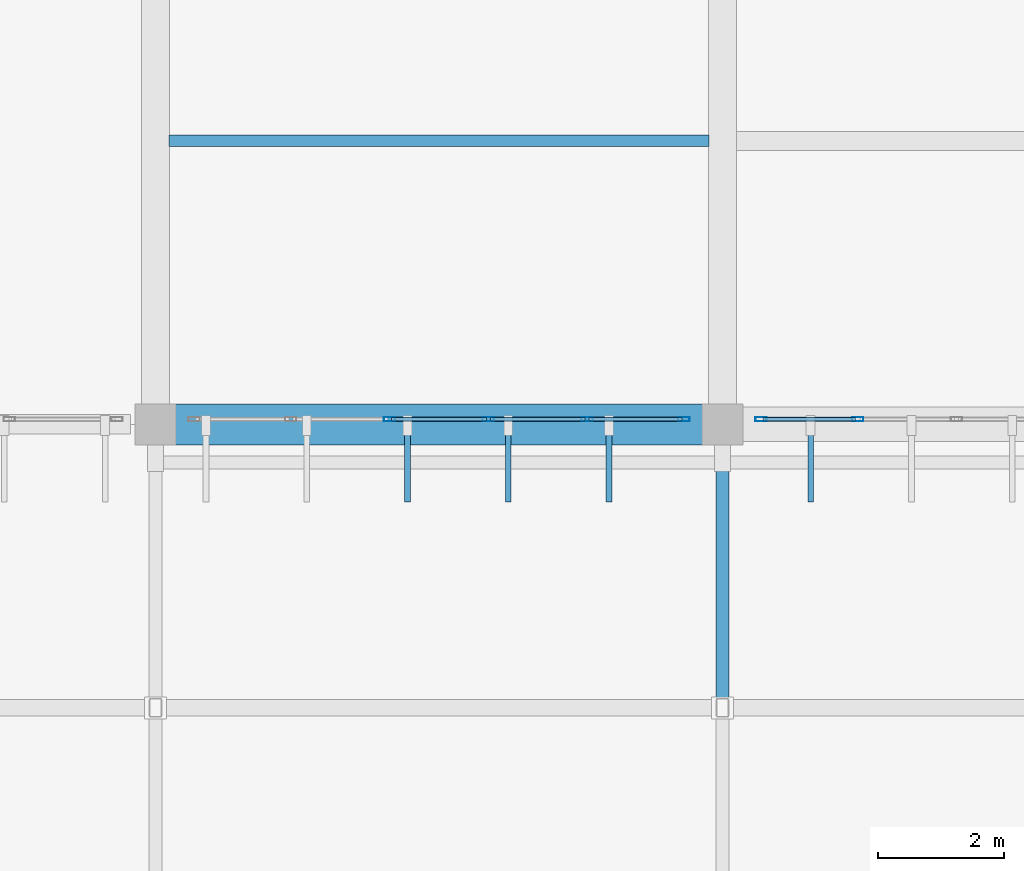
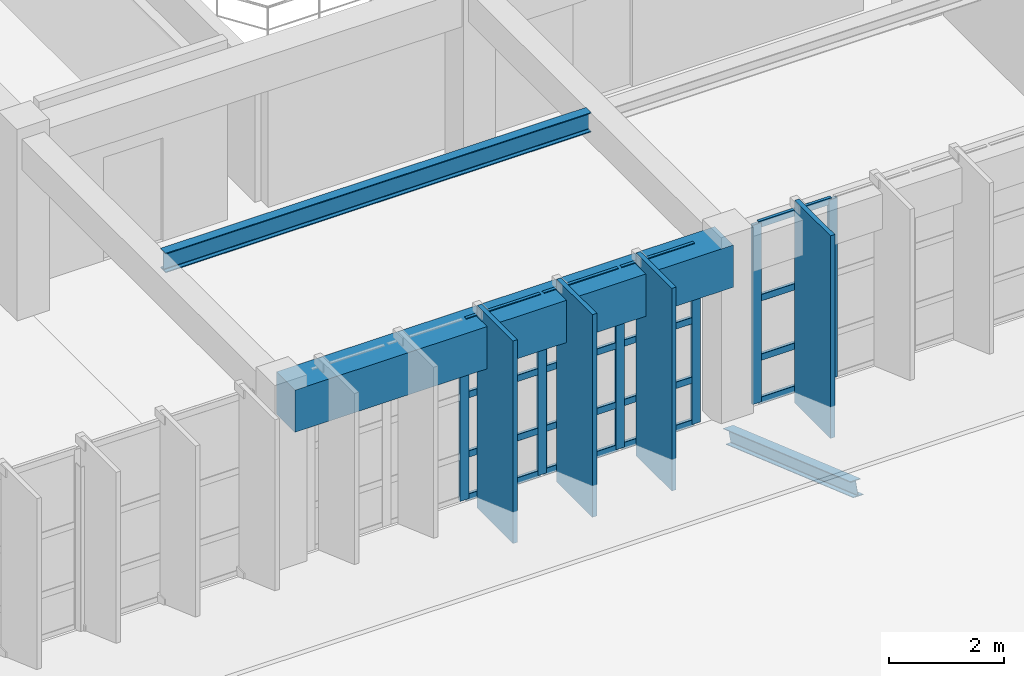
# One storey, part 18 of 80: 27 members, 2 beams, 2 elements without a shape of their own.
"""IFC4 building model written with IfcOpenShell, lengths in metres."""

from ifc_helpers import new_model, si_unit, direction, frame, origin, origin_2d, place, context, subcontext, project, spatial, rectangle, hollow_rectangle, i_section, extrude, material, material_profile, profile_set, type_object, element, aggregate, save


model = new_model("IFC4")

# Units and contexts
model_context = context("Model", 3, precision=1e-05, world=origin(), true_north=direction((0.0, 1.0)))
body_context = subcontext(model_context, "Body", "Model", "MODEL_VIEW")
ifc_project = project(units=[si_unit("LENGTHUNIT", "METRE"), si_unit("AREAUNIT", "SQUARE_METRE"), si_unit("VOLUMEUNIT", "CUBIC_METRE"), si_unit("PLANEANGLEUNIT", "RADIAN"), si_unit("MASSUNIT", "GRAM", prefix="KILO")], contexts=[model_context])

# Site, building, storey
site_placement = place(None, origin())
site = spatial("IfcSite", under=ifc_project, at=site_placement, CompositionType="ELEMENT")
building_placement = place(site_placement, origin())
building = spatial("IfcBuilding", under=site, at=building_placement, Name="Miravela Opera House", CompositionType="ELEMENT")
storey_placement = place(building_placement, frame((0.0, 0.0, 17.679931640625)))
storey = spatial("IfcBuildingStorey", under=building, at=storey_placement, Name="L04", CompositionType="ELEMENT", Elevation=17.679931640625)

# Curtain wall, members
ifc_material_1 = material(Name="Anodised architectural bronze aluminium 6063-T6", Category="aluminium")
curtain_wall_type = type_object("IfcCurtainWallType", Name="ARC-CW-02", PredefinedType="NOTDEFINED", material=ifc_material_1)
curtain_wall_1_placement = place(storey_placement, origin())
curtain_wall_1 = element("IfcCurtainWall", 1, at=curtain_wall_1_placement, inside=storey, type_object=curtain_wall_type, Name="Auditorium South Wrapper Glazing CW-L04-040", PredefinedType="NOTDEFINED")
ifc_material_profile_1 = material_profile(ifc_material_1, hollow_rectangle(XDim=0.06494140625, YDim=0.179931640625, WallThickness=0.00390625, InnerFilletRadius=0.001953125, OuterFilletRadius=0.00390625, at=origin_2d()), Name="CWM-65X180")
ifc_profile_set_1 = profile_set([ifc_material_profile_1])
member_type_1 = type_object("IfcMemberType", Name="ARC-CWM-180", PredefinedType="MULLION", material=ifc_profile_set_1)
member_1_placement = place(storey_placement, frame((30.716064453125, 37.080078125, 0.0), z_axis=(0.0, 0.0, 1.0), x_axis=(0.0, 1.0, 0.0)))
member_1 = element("IfcMember", 2, at=member_1_placement, type_object=member_type_1, Name="CW-02 mullion 3", PredefinedType="MULLION", context=body_context, shape_type="SweptSolid", body=[
    extrude(hollow_rectangle(XDim=0.06494140625, YDim=0.179931640625, WallThickness=0.00390625, InnerFilletRadius=0.001953125, OuterFilletRadius=0.00390625, at=origin_2d()), origin(), (0.0, 0.0, 1.0), 3.820068359375),
])
member_2_placement = place(storey_placement, frame((32.283935546875, 37.080078125, 0.0), z_axis=(0.0, 0.0, 1.0), x_axis=(0.0, 1.0, 0.0)))
member_2 = element("IfcMember", 3, at=member_2_placement, type_object=member_type_1, Name="CW-02 mullion 4", PredefinedType="MULLION", context=body_context, shape_type="SweptSolid", body=[
    extrude(hollow_rectangle(XDim=0.06494140625, YDim=0.179931640625, WallThickness=0.00390625, InnerFilletRadius=0.001953125, OuterFilletRadius=0.00390625, at=origin_2d()), origin(), (0.0, 0.0, 1.0), 3.820068359375),
])
member_3_placement = place(storey_placement, frame((33.85205078125, 37.080078125, 0.0), z_axis=(0.0, 0.0, 1.0), x_axis=(0.0, 1.0, 0.0)))
member_3 = element("IfcMember", 4, at=member_3_placement, type_object=member_type_1, Name="CW-02 mullion 5", PredefinedType="MULLION", context=body_context, shape_type="SweptSolid", body=[
    extrude(hollow_rectangle(XDim=0.06494140625, YDim=0.179931640625, WallThickness=0.00390625, InnerFilletRadius=0.001953125, OuterFilletRadius=0.00390625, at=origin_2d()), origin(), (0.0, 0.0, 1.0), 3.820068359375),
])
member_4_placement = place(storey_placement, frame((35.387451171875, 37.080078125, 0.0), z_axis=(0.0, 0.0, 1.0), x_axis=(0.0, 1.0, 0.0)))
member_4 = element("IfcMember", 5, at=member_4_placement, type_object=member_type_1, Name="CW-02 mullion 6", PredefinedType="MULLION", context=body_context, shape_type="SweptSolid", body=[
    extrude(hollow_rectangle(XDim=0.06494140625, YDim=0.179931640625, WallThickness=0.00390625, InnerFilletRadius=0.001953125, OuterFilletRadius=0.00390625, at=origin_2d()), origin(), (0.0, 0.0, 1.0), 3.820068359375),
])

curtain_wall_2_placement = place(storey_placement, origin())
curtain_wall_2 = element("IfcCurtainWall", 6, at=curtain_wall_2_placement, inside=storey, type_object=curtain_wall_type, Name="Auditorium South Wrapper Glazing CW-L04-042", PredefinedType="NOTDEFINED")
member_5_placement = place(storey_placement, frame((36.612548828125, 37.080078125, 0.0), z_axis=(0.0, 0.0, 1.0), x_axis=(0.0, 1.0, 0.0)))
member_5 = element("IfcMember", 7, at=member_5_placement, type_object=member_type_1, Name="CW-02 mullion 1", PredefinedType="MULLION", context=body_context, shape_type="SweptSolid", body=[
    extrude(hollow_rectangle(XDim=0.06494140625, YDim=0.179931640625, WallThickness=0.00390625, InnerFilletRadius=0.001953125, OuterFilletRadius=0.00390625, at=origin_2d()), origin(), (0.0, 0.0, 1.0), 3.820068359375),
])
member_6_placement = place(storey_placement, frame((38.14794921875, 37.080078125, 0.0), z_axis=(0.0, 0.0, 1.0), x_axis=(0.0, 1.0, 0.0)))
member_6 = element("IfcMember", 8, at=member_6_placement, type_object=member_type_1, Name="CW-02 mullion 2", PredefinedType="MULLION", context=body_context, shape_type="SweptSolid", body=[
    extrude(hollow_rectangle(XDim=0.06494140625, YDim=0.179931640625, WallThickness=0.00390625, InnerFilletRadius=0.001953125, OuterFilletRadius=0.00390625, at=origin_2d()), origin(), (0.0, 0.0, 1.0), 3.820068359375),
])

# Member
ifc_material_profile_2 = material_profile(ifc_material_1, hollow_rectangle(XDim=0.06494140625, YDim=0.139892578125, WallThickness=0.00390625, InnerFilletRadius=0.001953125, OuterFilletRadius=0.00390625, at=origin_2d()), Name="CWT-65X140")
ifc_profile_set_2 = profile_set([ifc_material_profile_2])
member_type_2 = type_object("IfcMemberType", Name="ARC-CWT-140", PredefinedType="USERDEFINED", material=ifc_profile_set_2)
member_7_placement = place(storey_placement, frame((30.74853515625, 37.080078125, 0.032470703125), z_axis=(1.0, 0.0, 0.0), x_axis=(0.0, 1.0, 0.0)))
member_7 = element("IfcMember", 9, at=member_7_placement, type_object=member_type_2, Name="CW-02 transom 3.1", ObjectType="TRANSOM", PredefinedType="USERDEFINED", context=body_context, shape_type="SweptSolid", body=[
    extrude(hollow_rectangle(XDim=0.06494140625, YDim=0.139892578125, WallThickness=0.00390625, InnerFilletRadius=0.001953125, OuterFilletRadius=0.00390625, at=origin_2d()), origin(), (0.0, 0.0, 1.0), 1.5029296875),
])

member_8_placement = place(storey_placement, frame((30.74853515625, 37.080078125, 0.949951171875), z_axis=(1.0, 0.0, 0.0), x_axis=(0.0, 1.0, 0.0)))
member_8 = element("IfcMember", 10, at=member_8_placement, type_object=member_type_2, Name="CW-02 transom 3.2", ObjectType="TRANSOM", PredefinedType="USERDEFINED", context=body_context, shape_type="SweptSolid", body=[
    extrude(hollow_rectangle(XDim=0.06494140625, YDim=0.139892578125, WallThickness=0.00390625, InnerFilletRadius=0.001953125, OuterFilletRadius=0.00390625, at=origin_2d()), origin(), (0.0, 0.0, 1.0), 1.5029296875),
])

member_9_placement = place(storey_placement, frame((30.74853515625, 37.080078125, 2.215576171875), z_axis=(1.0, 0.0, 0.0), x_axis=(0.0, 1.0, 0.0)))
member_9 = element("IfcMember", 11, at=member_9_placement, type_object=member_type_2, Name="CW-02 transom 3.3", ObjectType="TRANSOM", PredefinedType="USERDEFINED", context=body_context, shape_type="SweptSolid", body=[
    extrude(hollow_rectangle(XDim=0.06494140625, YDim=0.139892578125, WallThickness=0.00390625, InnerFilletRadius=0.001953125, OuterFilletRadius=0.00390625, at=origin_2d()), origin(), (0.0, 0.0, 1.0), 1.5029296875),
])

member_10_placement = place(storey_placement, frame((30.74853515625, 37.080078125, 3.78759765625), z_axis=(1.0, 0.0, 0.0), x_axis=(0.0, 1.0, 0.0)))
member_10 = element("IfcMember", 12, at=member_10_placement, type_object=member_type_2, Name="CW-02 transom 3.4", ObjectType="TRANSOM", PredefinedType="USERDEFINED", context=body_context, shape_type="SweptSolid", body=[
    extrude(hollow_rectangle(XDim=0.06494140625, YDim=0.139892578125, WallThickness=0.00390625, InnerFilletRadius=0.001953125, OuterFilletRadius=0.00390625, at=origin_2d()), origin(), (0.0, 0.0, 1.0), 1.5029296875),
])

member_11_placement = place(storey_placement, frame((32.31640625, 37.080078125, 0.032470703125), z_axis=(1.0, 0.0, 0.0), x_axis=(0.0, 1.0, 0.0)))
member_11 = element("IfcMember", 13, at=member_11_placement, type_object=member_type_2, Name="CW-02 transom 4.1", ObjectType="TRANSOM", PredefinedType="USERDEFINED", context=body_context, shape_type="SweptSolid", body=[
    extrude(hollow_rectangle(XDim=0.06494140625, YDim=0.139892578125, WallThickness=0.00390625, InnerFilletRadius=0.001953125, OuterFilletRadius=0.00390625, at=origin_2d()), origin(), (0.0, 0.0, 1.0), 1.503173828125),
])

member_12_placement = place(storey_placement, frame((32.31640625, 37.080078125, 0.949951171875), z_axis=(1.0, 0.0, 0.0), x_axis=(0.0, 1.0, 0.0)))
member_12 = element("IfcMember", 14, at=member_12_placement, type_object=member_type_2, Name="CW-02 transom 4.2", ObjectType="TRANSOM", PredefinedType="USERDEFINED", context=body_context, shape_type="SweptSolid", body=[
    extrude(hollow_rectangle(XDim=0.06494140625, YDim=0.139892578125, WallThickness=0.00390625, InnerFilletRadius=0.001953125, OuterFilletRadius=0.00390625, at=origin_2d()), origin(), (0.0, 0.0, 1.0), 1.503173828125),
])

member_13_placement = place(storey_placement, frame((32.31640625, 37.080078125, 2.215576171875), z_axis=(1.0, 0.0, 0.0), x_axis=(0.0, 1.0, 0.0)))
member_13 = element("IfcMember", 15, at=member_13_placement, type_object=member_type_2, Name="CW-02 transom 4.3", ObjectType="TRANSOM", PredefinedType="USERDEFINED", context=body_context, shape_type="SweptSolid", body=[
    extrude(hollow_rectangle(XDim=0.06494140625, YDim=0.139892578125, WallThickness=0.00390625, InnerFilletRadius=0.001953125, OuterFilletRadius=0.00390625, at=origin_2d()), origin(), (0.0, 0.0, 1.0), 1.503173828125),
])

member_14_placement = place(storey_placement, frame((32.31640625, 37.080078125, 3.78759765625), z_axis=(1.0, 0.0, 0.0), x_axis=(0.0, 1.0, 0.0)))
member_14 = element("IfcMember", 16, at=member_14_placement, type_object=member_type_2, Name="CW-02 transom 4.4", ObjectType="TRANSOM", PredefinedType="USERDEFINED", context=body_context, shape_type="SweptSolid", body=[
    extrude(hollow_rectangle(XDim=0.06494140625, YDim=0.139892578125, WallThickness=0.00390625, InnerFilletRadius=0.001953125, OuterFilletRadius=0.00390625, at=origin_2d()), origin(), (0.0, 0.0, 1.0), 1.503173828125),
])

member_15_placement = place(storey_placement, frame((33.884521484375, 37.080078125, 0.032470703125), z_axis=(1.0, 0.0, 0.0), x_axis=(0.0, 1.0, 0.0)))
member_15 = element("IfcMember", 17, at=member_15_placement, type_object=member_type_2, Name="CW-02 transom 5.1", ObjectType="TRANSOM", PredefinedType="USERDEFINED", context=body_context, shape_type="SweptSolid", body=[
    extrude(hollow_rectangle(XDim=0.06494140625, YDim=0.139892578125, WallThickness=0.00390625, InnerFilletRadius=0.001953125, OuterFilletRadius=0.00390625, at=origin_2d()), origin(), (0.0, 0.0, 1.0), 1.470458984375),
])

member_16_placement = place(storey_placement, frame((33.884521484375, 37.080078125, 0.949951171875), z_axis=(1.0, 0.0, 0.0), x_axis=(0.0, 1.0, 0.0)))
member_16 = element("IfcMember", 18, at=member_16_placement, type_object=member_type_2, Name="CW-02 transom 5.2", ObjectType="TRANSOM", PredefinedType="USERDEFINED", context=body_context, shape_type="SweptSolid", body=[
    extrude(hollow_rectangle(XDim=0.06494140625, YDim=0.139892578125, WallThickness=0.00390625, InnerFilletRadius=0.001953125, OuterFilletRadius=0.00390625, at=origin_2d()), origin(), (0.0, 0.0, 1.0), 1.470458984375),
])

member_17_placement = place(storey_placement, frame((33.884521484375, 37.080078125, 2.215576171875), z_axis=(1.0, 0.0, 0.0), x_axis=(0.0, 1.0, 0.0)))
member_17 = element("IfcMember", 19, at=member_17_placement, type_object=member_type_2, Name="CW-02 transom 5.3", ObjectType="TRANSOM", PredefinedType="USERDEFINED", context=body_context, shape_type="SweptSolid", body=[
    extrude(hollow_rectangle(XDim=0.06494140625, YDim=0.139892578125, WallThickness=0.00390625, InnerFilletRadius=0.001953125, OuterFilletRadius=0.00390625, at=origin_2d()), origin(), (0.0, 0.0, 1.0), 1.470458984375),
])

member_18_placement = place(storey_placement, frame((33.884521484375, 37.080078125, 3.78759765625), z_axis=(1.0, 0.0, 0.0), x_axis=(0.0, 1.0, 0.0)))
member_18 = element("IfcMember", 20, at=member_18_placement, type_object=member_type_2, Name="CW-02 transom 5.4", ObjectType="TRANSOM", PredefinedType="USERDEFINED", context=body_context, shape_type="SweptSolid", body=[
    extrude(hollow_rectangle(XDim=0.06494140625, YDim=0.139892578125, WallThickness=0.00390625, InnerFilletRadius=0.001953125, OuterFilletRadius=0.00390625, at=origin_2d()), origin(), (0.0, 0.0, 1.0), 1.470458984375),
])

aggregate(curtain_wall_1, [member_1, member_2, member_3, member_4, member_7, member_8, member_9, member_10, member_11, member_12, member_13, member_14, member_15, member_16, member_17, member_18])

member_19_placement = place(storey_placement, frame((36.64501953125, 37.080078125, 0.032470703125), z_axis=(1.0, 0.0, 0.0), x_axis=(0.0, 1.0, 0.0)))
member_19 = element("IfcMember", 21, at=member_19_placement, type_object=member_type_2, Name="CW-02 transom 1.1", ObjectType="TRANSOM", PredefinedType="USERDEFINED", context=body_context, shape_type="SweptSolid", body=[
    extrude(hollow_rectangle(XDim=0.06494140625, YDim=0.139892578125, WallThickness=0.00390625, InnerFilletRadius=0.001953125, OuterFilletRadius=0.00390625, at=origin_2d()), origin(), (0.0, 0.0, 1.0), 1.470458984375),
])

member_20_placement = place(storey_placement, frame((36.64501953125, 37.080078125, 0.949951171875), z_axis=(1.0, 0.0, 0.0), x_axis=(0.0, 1.0, 0.0)))
member_20 = element("IfcMember", 22, at=member_20_placement, type_object=member_type_2, Name="CW-02 transom 1.2", ObjectType="TRANSOM", PredefinedType="USERDEFINED", context=body_context, shape_type="SweptSolid", body=[
    extrude(hollow_rectangle(XDim=0.06494140625, YDim=0.139892578125, WallThickness=0.00390625, InnerFilletRadius=0.001953125, OuterFilletRadius=0.00390625, at=origin_2d()), origin(), (0.0, 0.0, 1.0), 1.470458984375),
])

member_21_placement = place(storey_placement, frame((36.64501953125, 37.080078125, 2.215576171875), z_axis=(1.0, 0.0, 0.0), x_axis=(0.0, 1.0, 0.0)))
member_21 = element("IfcMember", 23, at=member_21_placement, type_object=member_type_2, Name="CW-02 transom 1.3", ObjectType="TRANSOM", PredefinedType="USERDEFINED", context=body_context, shape_type="SweptSolid", body=[
    extrude(hollow_rectangle(XDim=0.06494140625, YDim=0.139892578125, WallThickness=0.00390625, InnerFilletRadius=0.001953125, OuterFilletRadius=0.00390625, at=origin_2d()), origin(), (0.0, 0.0, 1.0), 1.470458984375),
])

member_22_placement = place(storey_placement, frame((36.64501953125, 37.080078125, 3.78759765625), z_axis=(1.0, 0.0, 0.0), x_axis=(0.0, 1.0, 0.0)))
member_22 = element("IfcMember", 24, at=member_22_placement, type_object=member_type_2, Name="CW-02 transom 1.4", ObjectType="TRANSOM", PredefinedType="USERDEFINED", context=body_context, shape_type="SweptSolid", body=[
    extrude(hollow_rectangle(XDim=0.06494140625, YDim=0.139892578125, WallThickness=0.00390625, InnerFilletRadius=0.001953125, OuterFilletRadius=0.00390625, at=origin_2d()), origin(), (0.0, 0.0, 1.0), 1.470458984375),
])

aggregate(curtain_wall_2, [member_5, member_6, member_19, member_20, member_21, member_22])

# Members
ifc_material_profile_3 = material_profile(ifc_material_1, rectangle(XDim=0.090087890625, YDim=1.25, at=origin_2d()), Name="FIN-1250X90")
ifc_profile_set_3 = profile_set([ifc_material_profile_3])
member_type_3 = type_object("IfcMemberType", Name="ARC-FIN-1250", PredefinedType="USERDEFINED", material=ifc_profile_set_3)
for number, where, z_axis, x_axis, name in (
    (25, (31.0, 36.39501953125, -0.239990234375), (0.0, 0.0, 1.0), (1.0, 0.0, 0.0), "Auditorium Wrapper Bronze Solar Fin FIN-L04-SOUTH-0114"),
    (26, (32.60009765625, 36.39501953125, -0.239990234375), (0.0, 0.0, 1.0), (1.0, 0.0, 0.0), "Auditorium Wrapper Bronze Solar Fin FIN-L04-SOUTH-0116"),
    (27, (34.199951171875, 36.39501953125, -0.239990234375), (0.0, 0.0, 1.0), (1.0, 0.0, 0.0), "Auditorium Wrapper Bronze Solar Fin FIN-L04-SOUTH-0118"),
    (28, (37.39990234375, 36.39501953125, -0.239990234375), (0.0, 0.0, 1.0), (1.0, 0.0, 0.0), "Auditorium Wrapper Bronze Solar Fin FIN-L04-SOUTH-0120"),
):
    element("IfcMember", number, at=place(storey_placement, frame(where, z_axis=z_axis, x_axis=x_axis)), inside=storey, type_object=member_type_3, Name=name, ObjectType="FIN", PredefinedType="USERDEFINED", context=body_context, shape_type="SweptSolid", body=[
        extrude(rectangle(XDim=0.090087890625, YDim=1.25, at=origin_2d()), origin(), (0.0, 0.0, 1.0), 4.320068359375),
    ])

# Beams
ifc_material_2 = material(Name="Concrete C40/50", Category="concrete")
ifc_material_profile_4 = material_profile(ifc_material_2, rectangle(XDim=0.64990234375, YDim=0.89990234375, at=origin_2d()), Name="RC-BM-650X900")
ifc_profile_set_4 = profile_set([ifc_material_profile_4])
beam_type_1 = type_object("IfcBeamType", Name="STR-BM-RC650X900", PredefinedType="BEAM", material=ifc_profile_set_4)
beam_1_placement = place(storey_placement, frame((27.080078125, 37.0, 3.39013671875), z_axis=(1.0, 0.0, 0.0), x_axis=(0.0, 1.0, 0.0)))
element("IfcBeam", 29, at=beam_1_placement, inside=storey, type_object=beam_type_1, Name="Floor Girder L04 4-5/E", PredefinedType="BEAM", context=body_context, shape_type="SweptSolid", body=[
    extrude(rectangle(XDim=0.64990234375, YDim=0.89990234375, at=origin_2d()), origin(), (0.0, 0.0, 1.0), 8.83984375),
])
ifc_material_3 = material(Name="Structural steel ASTM A992 Gr. 50", Category="steel")
ifc_material_profile_5 = material_profile(ifc_material_3, i_section(OverallWidth=0.180908203125, OverallDepth=0.4169921875, WebThickness=0.010986328125, FlangeThickness=0.018310546875, FilletRadius=0.013916015625, at=origin_2d()), Name="W410X85")
ifc_profile_set_5 = profile_set([ifc_material_profile_5])
beam_type_2 = type_object("IfcBeamType", Name="STR-BM-W410X85", PredefinedType="JOIST", material=ifc_profile_set_5)
beam_2_placement = place(storey_placement, frame((27.2099609375, 41.5, 3.631591796875), z_axis=(1.0, 0.0, 0.0), x_axis=(0.0, 1.0, 0.0)))
element("IfcBeam", 30, at=beam_2_placement, inside=storey, type_object=beam_type_2, Name="Secondary Floor Joist L04 4-5/E-F", PredefinedType="JOIST", context=body_context, shape_type="SweptSolid", body=[
    extrude(i_section(OverallWidth=0.180908203125, OverallDepth=0.4169921875, WebThickness=0.010986328125, FlangeThickness=0.018310546875, FilletRadius=0.013916015625, at=origin_2d()), origin(), (0.0, 0.0, 1.0), 8.580078125),
])

# Member
ifc_material_profile_6 = material_profile(ifc_material_3, i_section(OverallWidth=0.202880859375, OverallDepth=0.302978515625, WebThickness=0.007568359375, FlangeThickness=0.01318359375, FilletRadius=0.012939453125, at=origin_2d()), Name="W310X60")
ifc_profile_set_6 = profile_set([ifc_material_profile_6])
member_type_4 = type_object("IfcMemberType", Name="STR-MEM-RAFTER-2", PredefinedType="RAFTER", material=ifc_profile_set_6)
member_23_placement = place(storey_placement, frame((36.0, 36.949951171875, -0.39990234375), z_axis=(0.0, -0.943687918104, 0.3308369889), x_axis=(1.0, 0.0, 0.0)))
element("IfcMember", 31, at=member_23_placement, inside=storey, type_object=member_type_4, Name="Pitched Roof Rafter ROOF-V4-WEST-N N2", PredefinedType="RAFTER", context=body_context, shape_type="SweptSolid", body=[
    extrude(i_section(OverallWidth=0.202880859375, OverallDepth=0.302978515625, WebThickness=0.007568359375, FlangeThickness=0.01318359375, FilletRadius=0.012939453125, at=origin_2d()), origin(), (0.0, 0.0, 1.0), 4.715576171875),
])

save(model, "model.ifc")
